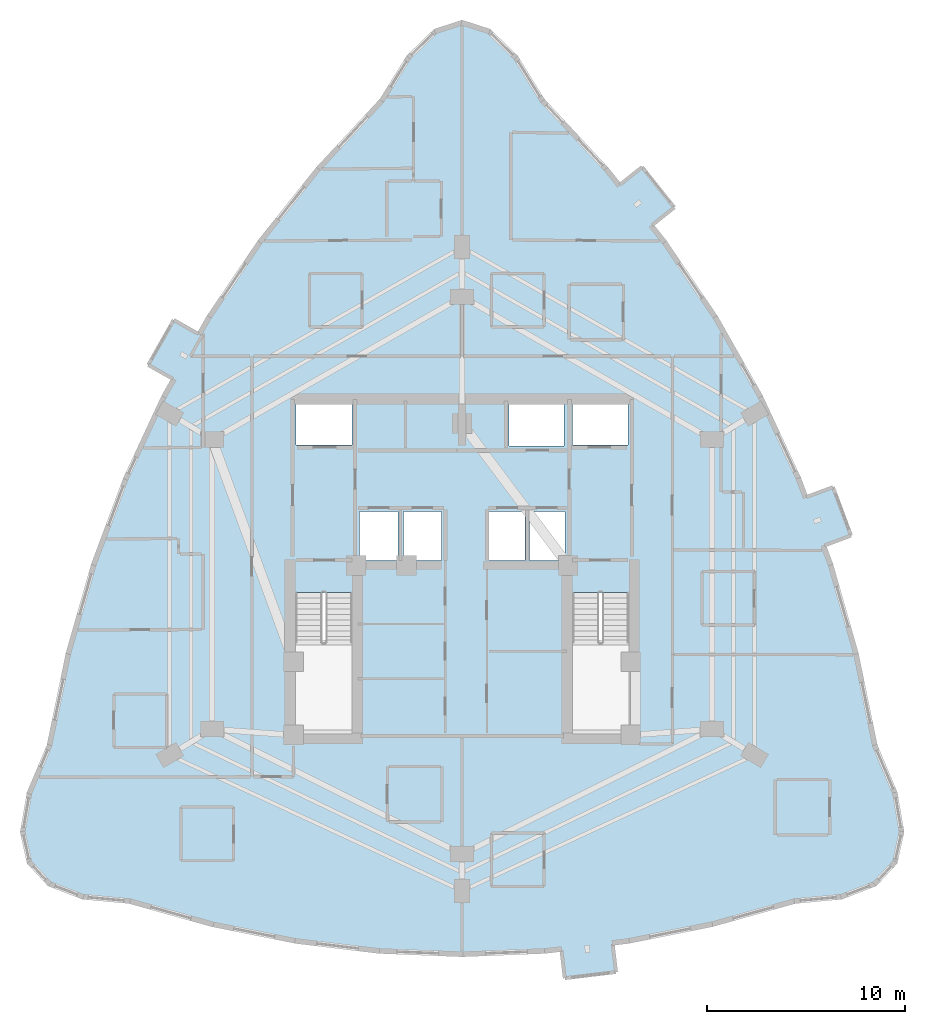
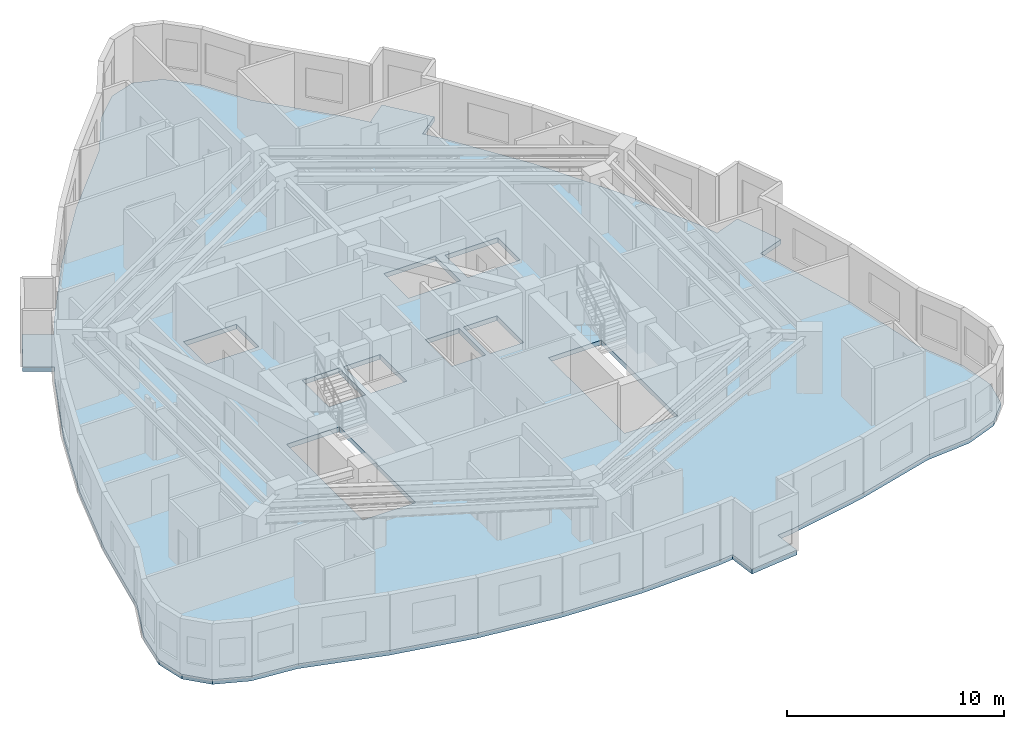
# One storey, part 3 of 12: 1 slab.
"""IFC4 building model written with IfcOpenShell, lengths in metres."""

from ifc_helpers import new_model, si_unit, direction, frame, origin, place, context, subcontext, project, spatial, polyline, outline, extrude, material, layer, layer_set, type_object, element, save


model = new_model("IFC4")

# Units and contexts
model_context = context("Model", 3, precision=1e-05, world=origin(), true_north=direction((0.0, 1.0)))
body_context = subcontext(model_context, "Body", "Model", "MODEL_VIEW")
ifc_project = project(units=[si_unit("LENGTHUNIT", "METRE"), si_unit("AREAUNIT", "SQUARE_METRE"), si_unit("VOLUMEUNIT", "CUBIC_METRE"), si_unit("PLANEANGLEUNIT", "RADIAN"), si_unit("MASSUNIT", "GRAM", prefix="KILO")], contexts=[model_context])

# Site, building, storey
site_placement = place(None, origin())
site = spatial("IfcSite", under=ifc_project, at=site_placement, CompositionType="ELEMENT")
building_placement = place(site_placement, origin())
building = spatial("IfcBuilding", under=site, at=building_placement, Name="Miruveldt Soraemaru", CompositionType="ELEMENT")
storey_placement = place(building_placement, frame((0.0, 0.0, 107.39990234375)))
storey = spatial("IfcBuildingStorey", under=building, at=storey_placement, Name="L29", CompositionType="ELEMENT", Elevation=107.39990234375)

# Slab
ifc_material = material(Name="Concrete C40/50 (40 MPa)", Category="concrete")
ifc_layer = layer(ifc_material, 0.264892578125, Name="Concrete C40/50 (40 MPa)", Category="concrete")
ifc_layer_set = layer_set([ifc_layer], Name="Concrete C40/50 (40 MPa)")
slab_type = type_object("IfcSlabType", Name="SLAB-RES2-265", PredefinedType="FLOOR", material=ifc_layer_set)
slab_placement = place(storey_placement, frame((0.0, 0.0, -0.264892578125)))
element("IfcSlab", 1, at=slab_placement, inside=storey, type_object=slab_type, Name="L29 Structural Floor Slab", PredefinedType="FLOOR", context=body_context, shape_type="SweptSolid", body=[
    extrude(outline(polyline([(49.17431640625, 23.251708984375), (48.997802734375, 24.72119140625), (48.1923828125, 24.62451171875), (44.0, 24.456787109375), (39.8076171875, 24.62451171875), (35.615234375, 25.127685546875), (31.4228515625, 25.966064453125), (27.23046875, 27.139892578125), (24.877685546875, 27.357421875), (23.197021484375, 28.00927734375), (22.188720703125, 29.095947265625), (21.8525390625, 30.617431640625), (22.188720703125, 32.573486328125), (23.197021484375, 34.96435546875), (24.154541015625, 39.61767578125), (25.4375, 44.103515625), (27.045654296875, 48.42138671875), (28.979248046875, 52.571533203125), (29.46728515625, 53.43212890625), (28.179931640625, 54.162109375), (29.462646484375, 56.423828125), (30.75, 55.693603515625), (30.108642578125, 54.56298828125), (31.238037109375, 56.55419921875), (33.822265625, 60.368896484375), (36.731689453125, 64.01611328125), (39.966552734375, 67.49560546875), (41.31103515625, 69.669189453125), (42.655517578125, 70.97314453125), (44.0, 71.407958984375), (45.344482421875, 70.97314453125), (46.68896484375, 69.669189453125), (48.033447265625, 67.49560546875), (51.268310546875, 64.01611328125), (52.722900390625, 62.192626953125), (51.912353515625, 63.208984375), (53.0693359375, 64.1318359375), (54.690673828125, 62.099365234375), (53.53369140625, 61.17626953125), (54.177734375, 60.368896484375), (56.761962890625, 56.55419921875), (59.020751953125, 52.571533203125), (60.954345703125, 48.42138671875), (61.75830078125, 46.262451171875), (61.3046875, 47.480712890625), (62.691650390625, 47.997314453125), (63.59912109375, 45.560791015625), (62.212158203125, 45.044189453125), (62.5625, 44.103515625), (63.845458984375, 39.61767578125), (64.802978515625, 34.96435546875), (65.811279296875, 32.573486328125), (66.1474609375, 30.617431640625), (65.811279296875, 29.095947265625), (64.802978515625, 28.00927734375), (63.122314453125, 27.357421875), (60.76953125, 27.139892578125), (56.5771484375, 25.966064453125), (52.384765625, 25.127685546875), (50.28857421875, 24.8759765625), (51.579345703125, 25.031005859375), (51.755615234375, 23.561279296875), (49.17431640625, 23.251708984375)]), holes=[polyline([(35.614990234375, 35.6650390625), (38.43505859375, 35.6650390625), (38.43505859375, 42.68505859375), (35.614990234375, 42.68505859375), (35.614990234375, 35.6650390625)]), polyline([(49.56494140625, 35.6650390625), (52.385009765625, 35.6650390625), (52.385009765625, 42.68505859375), (49.56494140625, 42.68505859375), (49.56494140625, 35.6650390625)]), polyline([(40.764892578125, 44.31494140625), (40.764892578125, 46.784912109375), (38.81494140625, 46.784912109375), (38.81494140625, 44.31494140625), (40.764892578125, 44.31494140625)]), polyline([(42.965087890625, 44.31494140625), (42.965087890625, 46.784912109375), (41.034912109375, 46.784912109375), (41.034912109375, 44.31494140625), (42.965087890625, 44.31494140625)]), polyline([(47.1650390625, 44.31494140625), (47.1650390625, 46.784912109375), (45.364990234375, 46.784912109375), (45.364990234375, 44.31494140625), (47.1650390625, 44.31494140625)]), polyline([(49.18505859375, 44.31494140625), (49.18505859375, 46.784912109375), (47.39501953125, 46.784912109375), (47.39501953125, 44.31494140625), (49.18505859375, 44.31494140625)]), polyline([(38.445068359375, 50.135009765625), (38.445068359375, 52.205078125), (35.635009765625, 52.205078125), (35.635009765625, 50.135009765625), (38.445068359375, 50.135009765625)]), polyline([(49.554931640625, 50.135009765625), (52.364990234375, 50.135009765625), (52.364990234375, 52.205078125), (49.554931640625, 52.205078125), (49.554931640625, 50.135009765625)]), polyline([(46.364990234375, 50.06494140625), (49.135009765625, 50.06494140625), (49.135009765625, 52.3349609375), (46.364990234375, 52.3349609375), (46.364990234375, 50.06494140625)])]), origin(), (0.0, 0.0, 1.0), 0.264892578125),
])

save(model, "model.ifc")
